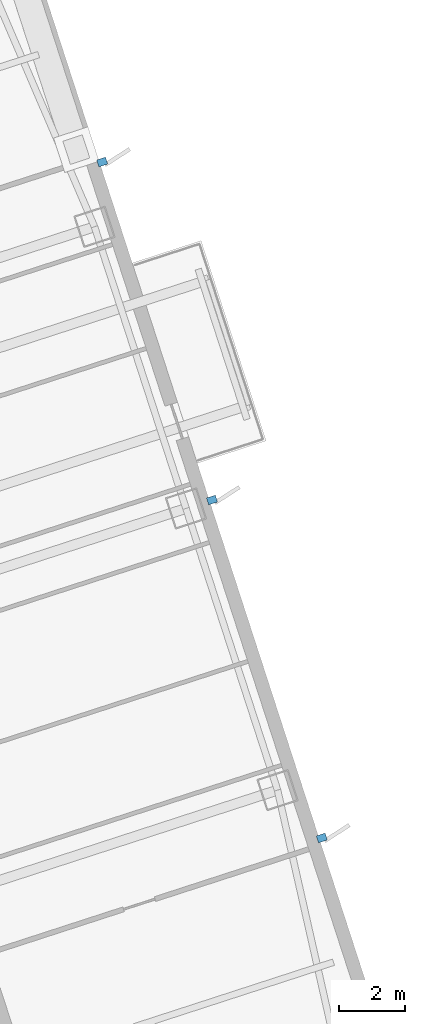
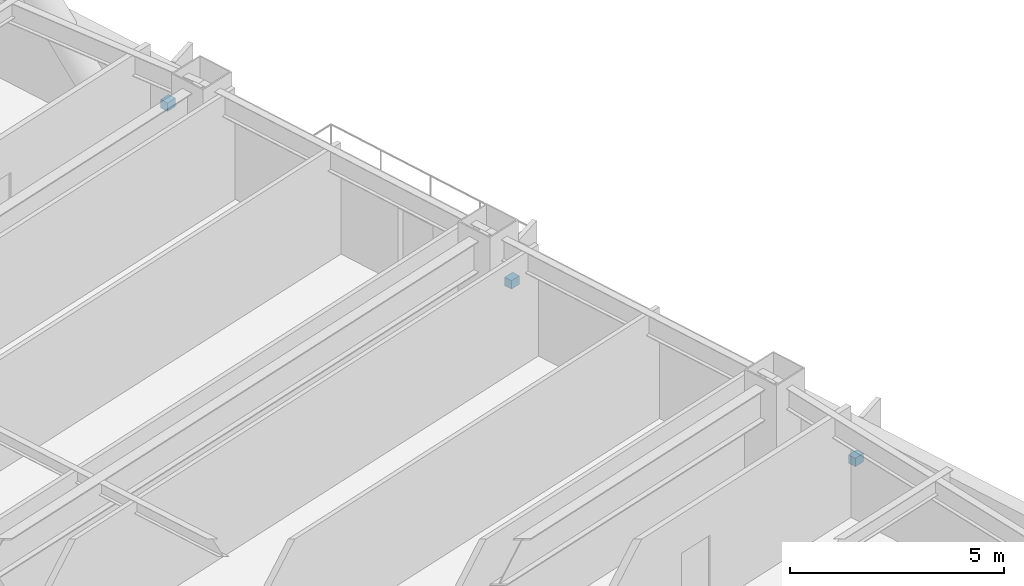
# One storey, part 12 of 18: 3 discrete accessories.
"""IFC4 building model written with IfcOpenShell, lengths in metres."""

from ifc_helpers import new_model, si_unit, direction, frame, origin, origin_2d, place, context, subcontext, project, spatial, rectangle, extrude, material, type_object, element, save


model = new_model("IFC4")

# Units and contexts
model_context = context("Model", 3, precision=1e-05, world=origin(), true_north=direction((0.0, 1.0)))
body_context = subcontext(model_context, "Body", "Model", "MODEL_VIEW")
ifc_project = project(units=[si_unit("LENGTHUNIT", "METRE"), si_unit("AREAUNIT", "SQUARE_METRE"), si_unit("VOLUMEUNIT", "CUBIC_METRE"), si_unit("PLANEANGLEUNIT", "RADIAN"), si_unit("MASSUNIT", "GRAM", prefix="KILO")], contexts=[model_context])

# Site, building, storey
site_placement = place(None, origin())
site = spatial("IfcSite", under=ifc_project, at=site_placement, CompositionType="ELEMENT")
building_placement = place(site_placement, origin())
building = spatial("IfcBuilding", under=site, at=building_placement, Name="Qiaolan Cultural Towers", CompositionType="ELEMENT")
storey_placement = place(building_placement, frame((0.0, 0.0, 57.5)))
storey = spatial("IfcBuildingStorey", under=building, at=storey_placement, Name="L13", CompositionType="ELEMENT", Elevation=57.5)

# Discrete accessories
ifc_material = material(Name="Stainless Steel S31608 Facade Anchor Bracket", Category="steel")
discrete_accessory_type = type_object("IfcDiscreteAccessoryType", Name="ACC-BRK-SS", PredefinedType="BRACKET", material=ifc_material)
for number, where, z_axis, x_axis, name in (
    (1, (111.673828125, 29.6865234375, 1.18505859375), (0.0, 0.0, 1.0), (0.951056516295, 0.309016994375, 0.0), "L13 T2 Facade Fin Anchor Bracket E1"),
    (2, (108.33642578125, 39.957763671875, 1.18505859375), (0.0, 0.0, 1.0), (0.951056516295, 0.309016994375, 0.0), "L13 T2 Facade Fin Anchor Bracket E2"),
    (3, (104.9990234375, 50.229248046875, 1.18505859375), (0.0, 0.0, 1.0), (0.951056516295, 0.309016994375, 0.0), "L13 T2 Facade Fin Anchor Bracket E3"),
):
    element("IfcDiscreteAccessory", number, at=place(storey_placement, frame(where, z_axis=z_axis, x_axis=x_axis)), inside=storey, type_object=discrete_accessory_type, Name=name, PredefinedType="BRACKET", context=body_context, shape_type="SweptSolid", body=[
        extrude(rectangle(XDim=0.280029296875, YDim=0.219970703125, at=origin_2d()), origin(), (0.0, 0.0, 1.0), 0.239990234375),
    ])

save(model, "model.ifc")
